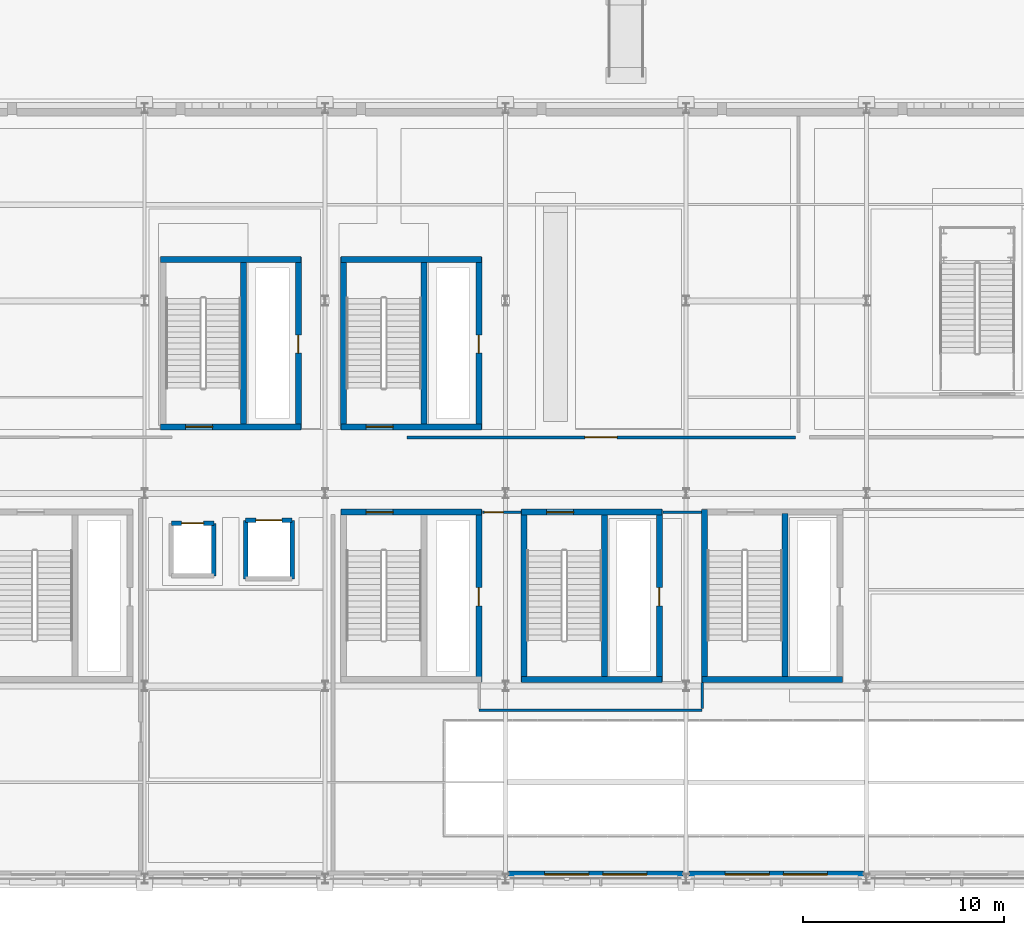
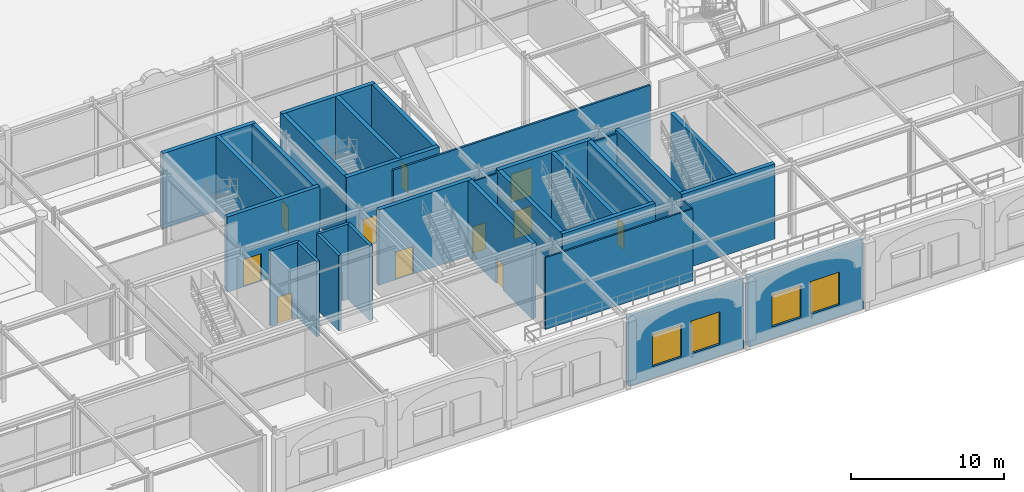
# One storey, part 65 of 113: 31 walls, 12 doors, 4 windows, 16 openings.
"""IFC4 building model written with IfcOpenShell, lengths in metres."""

import ifcopenshell
import ifcopenshell.guid

model = None  # the IFC model being written
_history = None  # IfcOwnerHistory: only IFC2X3 demands one
_inside = {}  # id of a spatial element -> (the spatial element, [elements in it])
_under = {}  # id of a project, library or spatial element -> (it, [spatial elements below it])
_declared = {}  # id of a project -> (the project, [libraries it declares])
_typed = {}  # id of a type object -> (the type object, [elements of that type])
_made_of = {}  # id of a material, layer set ... -> (it, [elements and type objects made of it])


def new_model(schema):
    """Start an empty IFC model of exactly this schema.

    Asked for "IFC4X3", IfcOpenShell would pick the latest addendum, in which some entities
    have other attributes; the version numbers below select the first issue.
    IFC2X3 requires an IfcOwnerHistory on every rooted entity: one is made here for all.
    """
    global model, _history
    if schema == "IFC4X3":
        model = ifcopenshell.file(schema_version=(4, 3, 0, 0))
    else:
        model = ifcopenshell.file(schema=schema)
    _inside.clear()
    _under.clear()
    _declared.clear()
    _typed.clear()
    _made_of.clear()
    _history = None
    if model.schema == "IFC2X3":
        org = make("IfcOrganization", Name="unknown")
        user = make(
            "IfcPersonAndOrganization",
            ThePerson=make("IfcPerson", FamilyName="unknown"),
            TheOrganization=org,
        )
        app = make(
            "IfcApplication",
            ApplicationDeveloper=org,
            Version="unknown",
            ApplicationFullName="unknown",
            ApplicationIdentifier="unknown",
        )
        _history = make(
            "IfcOwnerHistory",
            OwningUser=user,
            OwningApplication=app,
            ChangeAction="ADDED",
            CreationDate=0,
        )
    return model


def make(cls, **values):
    """One entity of the class cls with the attributes given. An attribute that is None is left unset."""
    return model.create_entity(
        cls, **{name: value for name, value in values.items() if value is not None}
    )


def rooted(cls, **values):
    """An entity with a GlobalId (a new one), such as an element, a storey or a relation."""
    return make(cls, GlobalId=ifcopenshell.guid.new(), OwnerHistory=_history, **values)


def si_unit(unit_type, name, prefix=None):
    """IfcSIUnit, for example si_unit("LENGTHUNIT", "METRE", prefix="MILLI")."""
    return make("IfcSIUnit", UnitType=unit_type, Prefix=prefix, Name=name)


def assignment(units):
    """IfcUnitAssignment: the units of a project."""
    return None if units is None else make("IfcUnitAssignment", Units=units)


def point(xyz):
    """IfcCartesianPoint."""
    return None if xyz is None else make("IfcCartesianPoint", Coordinates=xyz)


def direction(xyz):
    """IfcDirection."""
    return None if xyz is None else make("IfcDirection", DirectionRatios=xyz)


def frame(location, z_axis=None, x_axis=None):
    """IfcAxis2Placement3D, a coordinate frame: its origin and axes. An axis left out is left unset."""
    return make(
        "IfcAxis2Placement3D",
        Location=point(location),
        Axis=direction(z_axis),
        RefDirection=direction(x_axis),
    )


def frame_2d(location, x_axis=None):
    """IfcAxis2Placement2D, a coordinate frame in the plane: its origin and x axis."""
    return make(
        "IfcAxis2Placement2D", Location=point(location), RefDirection=direction(x_axis)
    )


def origin():
    """The frame at (0, 0, 0) with its axes left unset."""
    return frame((0.0, 0.0, 0.0))


def place(relative_to, where):
    """IfcLocalPlacement: puts the frame where relative to a parent placement (None: the world)."""
    return make(
        "IfcLocalPlacement", PlacementRelTo=relative_to, RelativePlacement=where
    )


def context(
    kind, dimensions, precision=None, world=None, true_north=None, identifier=None
):
    """IfcGeometricRepresentationContext, for example the 3D "Model" context."""
    return make(
        "IfcGeometricRepresentationContext",
        ContextIdentifier=identifier,
        ContextType=kind,
        CoordinateSpaceDimension=dimensions,
        Precision=precision,
        WorldCoordinateSystem=world,
        TrueNorth=true_north,
    )


def subcontext(parent, identifier, kind, view, scale=None):
    """IfcGeometricRepresentationSubContext, for example "Body" below "Model"."""
    return make(
        "IfcGeometricRepresentationSubContext",
        ContextIdentifier=identifier,
        ContextType=kind,
        ParentContext=parent,
        TargetScale=scale,
        TargetView=view,
    )


def project(units=None, contexts=None):
    """IfcProject with its units and contexts."""
    return rooted(
        "IfcProject",
        Name="project",
        RepresentationContexts=contexts,
        UnitsInContext=assignment(units),
    )


def spatial(cls, under=None, at=None, **own):
    """A site, building, storey or space (cls), placed at a placement, below another one or the project."""
    s = rooted(cls, ObjectPlacement=at, **own)
    if under is not None:
        _under.setdefault(under.id(), (under, []))[1].append(s)
    return s


def profile(cls, at=None, kind="AREA", **sizes):
    """A parametric profile (cls). Its sizes go by their IFC names, for example OverallWidth=200.0."""
    return make(cls, ProfileType=kind, Position=at, **sizes)


def rectangle(**sizes):
    """IfcRectangleProfileDef."""
    return profile("IfcRectangleProfileDef", **sizes)


def extrude(swept, where, along, depth):
    """IfcExtrudedAreaSolid: the profile swept, set in the frame where, extruded along a direction by depth."""
    return make(
        "IfcExtrudedAreaSolid",
        SweptArea=swept,
        Position=where,
        ExtrudedDirection=direction(along),
        Depth=depth,
    )


def shape(context_of_items, identifier, shape_type, items):
    """IfcShapeRepresentation: the items that make up one representation, for example the "Body"."""
    return make(
        "IfcShapeRepresentation",
        ContextOfItems=context_of_items,
        RepresentationIdentifier=identifier,
        RepresentationType=shape_type,
        Items=items,
    )


def material(Name=None, Category=None):
    """IfcMaterial."""
    return make("IfcMaterial", Name=Name, Category=Category)


def layer(
    of_material, thickness, ventilated=None, Name=None, Category=None, Priority=None
):
    """IfcMaterialLayer: one layer of a wall or slab, of a material (None: an air gap)."""
    return make(
        "IfcMaterialLayer",
        Material=of_material,
        LayerThickness=thickness,
        IsVentilated=ventilated,
        Name=Name,
        Category=Category,
        Priority=Priority,
    )


def layer_set(layers, Name=None):
    """IfcMaterialLayerSet."""
    return make("IfcMaterialLayerSet", MaterialLayers=layers, LayerSetName=Name)


def made_of(thing, what):
    """Note that an element or type object is made of a material, layer set ...; save() writes the relation."""
    if what is not None:
        _made_of.setdefault(what.id(), (what, []))[1].append(thing)
    return thing


def type_object(cls, material=None, **own):
    """A type object (cls), such as IfcWallType, which elements share."""
    return made_of(rooted(cls, **own), material)


def element(
    cls,
    number,
    at=None,
    inside=None,
    cuts=None,
    type_object=None,
    material=None,
    context=None,
    identifier="Body",
    shape_type=None,
    held_by="IfcProductDefinitionShape",
    body=None,
    shapes=None,
    **own,
):
    """One element of the class cls, such as IfcWall. Its Tag is "e" and its number.

    at: its placement. inside: the storey or other place that contains it. cuts: it is an
    opening in that element (IfcRelVoidsElement). A single representation is given by context,
    identifier, shape_type and body (its items); several are given by shapes. held_by: the class
    of the entity that holds the representations. save() writes the other relations.
    """
    e = rooted(cls, Tag="e%d" % number, ObjectPlacement=at, **own)
    if body is not None:
        shapes = [shape(context, identifier, shape_type, body)]
    if shapes is not None:
        e.Representation = make(held_by, Representations=shapes)
    if inside is not None:
        _inside.setdefault(inside.id(), (inside, []))[1].append(e)
    if cuts is not None:
        rooted(
            "IfcRelVoidsElement", RelatingBuildingElement=cuts, RelatedOpeningElement=e
        )
    if type_object is not None:
        _typed.setdefault(type_object.id(), (type_object, []))[1].append(e)
    return made_of(e, material)


def fill(opening, filler):
    """IfcRelFillsElement: the door or window that sits in an opening."""
    return rooted(
        "IfcRelFillsElement",
        RelatingOpeningElement=opening,
        RelatedBuildingElement=filler,
    )


def aggregate(whole, parts):
    """IfcRelAggregates: a whole, such as a stair, and the parts it consists of."""
    return rooted("IfcRelAggregates", RelatingObject=whole, RelatedObjects=parts)


def save(model, path):
    """Write the relations noted so far, then the file.

    IfcRelAggregates (storeys below a building ...), IfcRelContainedInSpatialStructure (elements
    in a storey), IfcRelDefinesByType, IfcRelAssociatesMaterial and IfcRelDeclares: one each for
    every whole, place, type object, material and project.
    """
    for whole, parts in _under.values():
        aggregate(whole, parts)
    for where, things in _inside.values():
        rooted(
            "IfcRelContainedInSpatialStructure",
            RelatedElements=things,
            RelatingStructure=where,
        )
    for kind, things in _typed.values():
        rooted("IfcRelDefinesByType", RelatedObjects=things, RelatingType=kind)
    for what, things in _made_of.values():
        rooted("IfcRelAssociatesMaterial", RelatedObjects=things, RelatingMaterial=what)
    for by, libraries in _declared.values():
        rooted("IfcRelDeclares", RelatingContext=by, RelatedDefinitions=libraries)
    model.write(path)


model = new_model("IFC4")

# Units and contexts
model_context = context("Model", 3, precision=1e-05, world=origin(), true_north=direction((0.0, 1.0)))
body_context = subcontext(model_context, "Body", "Model", "MODEL_VIEW")
ifc_project = project(units=[si_unit("LENGTHUNIT", "METRE"), si_unit("AREAUNIT", "SQUARE_METRE"), si_unit("VOLUMEUNIT", "CUBIC_METRE"), si_unit("PLANEANGLEUNIT", "RADIAN"), si_unit("MASSUNIT", "GRAM", prefix="KILO")], contexts=[model_context])

# Site, building, storey
site_placement = place(None, origin())
site = spatial("IfcSite", under=ifc_project, at=site_placement, CompositionType="ELEMENT")
building_placement = place(site_placement, origin())
building = spatial("IfcBuilding", under=site, at=building_placement, Name="Myrtia Square Station", CompositionType="ELEMENT")
storey_placement = place(building_placement, origin())
storey = spatial("IfcBuildingStorey", under=building, at=storey_placement, Name="L00", CompositionType="ELEMENT", Elevation=0.0)

# Wall, opening, door
ifc_material_1 = material(Name="Concrete C35/45", Category="concrete")
ifc_layer_1 = layer(ifc_material_1, 0.300048828125, Name="Concrete C35/45")
ifc_layer_set_1 = layer_set([ifc_layer_1], Name="Concrete C35/45")
wall_type_1 = type_object("IfcWallType", Name="WL-CORE-300", PredefinedType="SHEAR", material=ifc_layer_set_1)
wall_1_placement = place(storey_placement, frame((135.800048828125, 18.27490234375, 0.0), z_axis=(0.0, 0.0, 1.0), x_axis=(1.0, 0.0, 0.0)))
wall_1 = element("IfcWall", 1, at=wall_1_placement, inside=storey, type_object=wall_type_1, Name="Core K6 shear wall L00 N", PredefinedType="SHEAR", context=body_context, shape_type="SweptSolid", body=[
    extrude(rectangle(XDim=7.0, YDim=0.300048828125, at=frame_2d((3.5, 0.0))), origin(), (0.0, 0.0, 1.0), 6.0),
])
opening_1_placement = place(wall_1_placement, frame((1.25, 0.0, 0.0)))
opening_1 = element("IfcOpeningElement", 2, at=opening_1_placement, cuts=wall_1, Name="Opening SD-063", PredefinedType="OPENING", context=body_context, shape_type="SweptSolid", body=[
    extrude(rectangle(XDim=1.35009765625, YDim=2.199951171875, at=frame_2d((0.675048828125, 1.10009765625))), frame((0.0, 0.1650390625, 0.0), z_axis=(0.0, -1.0, 0.0), x_axis=(1.0, 0.0, 0.0)), (0.0, 0.0, 1.0), 0.330078125),
])
ifc_material_2 = material(Name="Dark bronze anodised aluminium", Category="aluminium")
door_type_1 = type_object("IfcDoorType", Name="DR-STAIR-1350x2200", OperationType="NOTDEFINED", PredefinedType="DOOR", material=ifc_material_2)
door_1_placement = place(opening_1_placement, origin())
door_1 = element("IfcDoor", 3, at=door_1_placement, inside=storey, type_object=door_type_1, Name="Protected stair fire door K6 L00", OperationType="SINGLE_SWING_LEFT", OverallHeight=2.199951171875, OverallWidth=1.35009765625, PredefinedType="DOOR", context=body_context, shape_type="SweptSolid", body=[
    extrude(rectangle(XDim=1.35009765625, YDim=2.199951171875, at=frame_2d((0.675048828125, 1.10009765625))), frame((0.0, 0.02490234375, 0.0), z_axis=(0.0, -1.0, 0.0), x_axis=(1.0, 0.0, 0.0)), (0.0, 0.0, 1.0), 0.050048828125),
])
fill(opening_1, door_1)

wall_2_placement = place(storey_placement, frame((142.675048828125, 9.800048828125, 0.0), z_axis=(0.0, 0.0, 1.0), x_axis=(0.0, 1.0, 0.0)))
wall_2 = element("IfcWall", 4, at=wall_2_placement, inside=storey, type_object=wall_type_1, Name="Core K6 shear wall L00 E", PredefinedType="SHEAR", context=body_context, shape_type="SweptSolid", body=[
    extrude(rectangle(XDim=8.599853515625, YDim=0.300048828125, at=frame_2d((4.2998046875, 0.0))), origin(), (0.0, 0.0, 1.0), 6.0),
])
opening_2_placement = place(wall_2_placement, frame((3.800048828125, 0.0, 0.0)))
opening_2 = element("IfcOpeningElement", 5, at=opening_2_placement, cuts=wall_2, Name="Opening RD-064", PredefinedType="OPENING", context=body_context, shape_type="SweptSolid", body=[
    extrude(rectangle(XDim=0.89990234375, YDim=2.050048828125, at=frame_2d((0.449951171875, 1.02490234375))), frame((0.0, 0.1650390625, 0.0), z_axis=(0.0, -1.0, 0.0), x_axis=(1.0, 0.0, 0.0)), (0.0, 0.0, 1.0), 0.330078125),
])
door_type_2 = type_object("IfcDoorType", Name="DR-RISER-900x2050", OperationType="NOTDEFINED", PredefinedType="DOOR", material=ifc_material_2)
door_2_placement = place(opening_2_placement, origin())
door_2 = element("IfcDoor", 6, at=door_2_placement, inside=storey, type_object=door_type_2, Name="Riser cupboard access door K6 L00", OperationType="SINGLE_SWING_RIGHT", OverallHeight=2.050048828125, OverallWidth=0.89990234375, PredefinedType="DOOR", context=body_context, shape_type="SweptSolid", body=[
    extrude(rectangle(XDim=0.89990234375, YDim=2.050048828125, at=frame_2d((0.449951171875, 1.02490234375))), frame((0.0, 0.02490234375, 0.0), z_axis=(0.0, -1.0, 0.0), x_axis=(1.0, 0.0, 0.0)), (0.0, 0.0, 1.0), 0.050048828125),
])
fill(opening_2, door_2)

wall_3_placement = place(storey_placement, frame((135.800048828125, 22.52490234375, 0.0), z_axis=(0.0, 0.0, 1.0), x_axis=(1.0, 0.0, 0.0)))
wall_3 = element("IfcWall", 7, at=wall_3_placement, inside=storey, type_object=wall_type_1, Name="Core K9 shear wall L00 S", PredefinedType="SHEAR", context=body_context, shape_type="SweptSolid", body=[
    extrude(rectangle(XDim=7.0, YDim=0.300048828125, at=frame_2d((3.5, 0.0))), origin(), (0.0, 0.0, 1.0), 6.0),
])
opening_3_placement = place(wall_3_placement, frame((1.25, 0.0, 0.0)))
opening_3 = element("IfcOpeningElement", 8, at=opening_3_placement, cuts=wall_3, Name="Opening SD-073", PredefinedType="OPENING", context=body_context, shape_type="SweptSolid", body=[
    extrude(rectangle(XDim=1.35009765625, YDim=2.199951171875, at=frame_2d((0.675048828125, 1.10009765625))), frame((0.0, 0.1650390625, 0.0), z_axis=(0.0, -1.0, 0.0), x_axis=(1.0, 0.0, 0.0)), (0.0, 0.0, 1.0), 0.330078125),
])
door_3_placement = place(opening_3_placement, frame((1.35009765625, 0.0, 0.0), z_axis=(0.0, 0.0, 1.0), x_axis=(-1.0, 0.0, 0.0)))
door_3 = element("IfcDoor", 9, at=door_3_placement, inside=storey, type_object=door_type_1, Name="Protected stair fire door K9 L00", OperationType="SINGLE_SWING_LEFT", OverallHeight=2.199951171875, OverallWidth=1.35009765625, PredefinedType="DOOR", context=body_context, shape_type="SweptSolid", body=[
    extrude(rectangle(XDim=1.35009765625, YDim=2.199951171875, at=frame_2d((0.675048828125, 1.10009765625))), frame((0.0, 0.02490234375, 0.0), z_axis=(0.0, -1.0, 0.0), x_axis=(1.0, 0.0, 0.0)), (0.0, 0.0, 1.0), 0.050048828125),
])
fill(opening_3, door_3)

# Walls
wall_4_placement = place(storey_placement, frame((135.800048828125, 30.875, 0.0), z_axis=(0.0, 0.0, 1.0), x_axis=(1.0, 0.0, 0.0)))
element("IfcWall", 10, at=wall_4_placement, inside=storey, type_object=wall_type_1, Name="Core K9 shear wall L00 N", PredefinedType="SHEAR", context=body_context, shape_type="SweptSolid", body=[
    extrude(rectangle(XDim=7.0, YDim=0.300048828125, at=frame_2d((3.5, 0.0))), origin(), (0.0, 0.0, 1.0), 6.0),
])
wall_5_placement = place(storey_placement, frame((135.925048828125, 22.39990234375, 0.0), z_axis=(0.0, 0.0, 1.0), x_axis=(0.0, 1.0, 0.0)))
element("IfcWall", 11, at=wall_5_placement, inside=storey, type_object=wall_type_1, Name="Core K9 shear wall L00 W", PredefinedType="SHEAR", context=body_context, shape_type="SweptSolid", body=[
    extrude(rectangle(XDim=8.60009765625, YDim=0.300048828125, at=frame_2d((4.300048828125, 0.0))), origin(), (0.0, 0.0, 1.0), 6.0),
])

# Wall, opening, door
wall_6_placement = place(storey_placement, frame((142.675048828125, 22.39990234375, 0.0), z_axis=(0.0, 0.0, 1.0), x_axis=(0.0, 1.0, 0.0)))
wall_6 = element("IfcWall", 12, at=wall_6_placement, inside=storey, type_object=wall_type_1, Name="Core K9 shear wall L00 E", PredefinedType="SHEAR", context=body_context, shape_type="SweptSolid", body=[
    extrude(rectangle(XDim=8.60009765625, YDim=0.300048828125, at=frame_2d((4.300048828125, 0.0))), origin(), (0.0, 0.0, 1.0), 6.0),
])
opening_4_placement = place(wall_6_placement, frame((3.800048828125, 0.0, 0.0)))
opening_4 = element("IfcOpeningElement", 13, at=opening_4_placement, cuts=wall_6, Name="Opening RD-074", PredefinedType="OPENING", context=body_context, shape_type="SweptSolid", body=[
    extrude(rectangle(XDim=0.89990234375, YDim=2.050048828125, at=frame_2d((0.449951171875, 1.02490234375))), frame((0.0, 0.1650390625, 0.0), z_axis=(0.0, -1.0, 0.0), x_axis=(1.0, 0.0, 0.0)), (0.0, 0.0, 1.0), 0.330078125),
])
door_4_placement = place(opening_4_placement, origin())
door_4 = element("IfcDoor", 14, at=door_4_placement, inside=storey, type_object=door_type_2, Name="Riser cupboard access door K9 L00", OperationType="SINGLE_SWING_RIGHT", OverallHeight=2.050048828125, OverallWidth=0.89990234375, PredefinedType="DOOR", context=body_context, shape_type="SweptSolid", body=[
    extrude(rectangle(XDim=0.89990234375, YDim=2.050048828125, at=frame_2d((0.449951171875, 1.02490234375))), frame((0.0, 0.02490234375, 0.0), z_axis=(0.0, -1.0, 0.0), x_axis=(1.0, 0.0, 0.0)), (0.0, 0.0, 1.0), 0.050048828125),
])
fill(opening_4, door_4)

# Wall
wall_7_placement = place(storey_placement, frame((139.93994140625, 22.60009765625, 0.0), z_axis=(0.0, 0.0, 1.0), x_axis=(0.0, 1.0, 0.0)))
element("IfcWall", 15, at=wall_7_placement, inside=storey, type_object=wall_type_1, Name="Core K9 shear wall L00 D", PredefinedType="SHEAR", context=body_context, shape_type="SweptSolid", body=[
    extrude(rectangle(XDim=8.199951171875, YDim=0.300048828125, at=frame_2d((4.10009765625, 0.0))), origin(), (0.0, 0.0, 1.0), 6.0),
])

# Wall, opening, door
wall_8_placement = place(storey_placement, frame((126.800048828125, 22.52490234375, 0.0), z_axis=(0.0, 0.0, 1.0), x_axis=(1.0, 0.0, 0.0)))
wall_8 = element("IfcWall", 16, at=wall_8_placement, inside=storey, type_object=wall_type_1, Name="Core K10 shear wall L00 S", PredefinedType="SHEAR", context=body_context, shape_type="SweptSolid", body=[
    extrude(rectangle(XDim=7.0, YDim=0.300048828125, at=frame_2d((3.5, 0.0))), origin(), (0.0, 0.0, 1.0), 6.0),
])
opening_5_placement = place(wall_8_placement, frame((1.25, 0.0, 0.0)))
opening_5 = element("IfcOpeningElement", 17, at=opening_5_placement, cuts=wall_8, Name="Opening SD-083", PredefinedType="OPENING", context=body_context, shape_type="SweptSolid", body=[
    extrude(rectangle(XDim=1.35009765625, YDim=2.199951171875, at=frame_2d((0.675048828125, 1.10009765625))), frame((0.0, 0.1650390625, 0.0), z_axis=(0.0, -1.0, 0.0), x_axis=(1.0, 0.0, 0.0)), (0.0, 0.0, 1.0), 0.330078125),
])
door_5_placement = place(opening_5_placement, frame((1.35009765625, 0.0, 0.0), z_axis=(0.0, 0.0, 1.0), x_axis=(-1.0, 0.0, 0.0)))
door_5 = element("IfcDoor", 18, at=door_5_placement, inside=storey, type_object=door_type_1, Name="Protected stair fire door K10 L00", OperationType="SINGLE_SWING_LEFT", OverallHeight=2.199951171875, OverallWidth=1.35009765625, PredefinedType="DOOR", context=body_context, shape_type="SweptSolid", body=[
    extrude(rectangle(XDim=1.35009765625, YDim=2.199951171875, at=frame_2d((0.675048828125, 1.10009765625))), frame((0.0, 0.02490234375, 0.0), z_axis=(0.0, -1.0, 0.0), x_axis=(1.0, 0.0, 0.0)), (0.0, 0.0, 1.0), 0.050048828125),
])
fill(opening_5, door_5)

# Wall
wall_9_placement = place(storey_placement, frame((126.800048828125, 30.875, 0.0), z_axis=(0.0, 0.0, 1.0), x_axis=(1.0, 0.0, 0.0)))
element("IfcWall", 19, at=wall_9_placement, inside=storey, type_object=wall_type_1, Name="Core K10 shear wall L00 N", PredefinedType="SHEAR", context=body_context, shape_type="SweptSolid", body=[
    extrude(rectangle(XDim=7.0, YDim=0.300048828125, at=frame_2d((3.5, 0.0))), origin(), (0.0, 0.0, 1.0), 6.0),
])

# Wall, opening, door
wall_10_placement = place(storey_placement, frame((133.675048828125, 22.39990234375, 0.0), z_axis=(0.0, 0.0, 1.0), x_axis=(0.0, 1.0, 0.0)))
wall_10 = element("IfcWall", 20, at=wall_10_placement, inside=storey, type_object=wall_type_1, Name="Core K10 shear wall L00 E", PredefinedType="SHEAR", context=body_context, shape_type="SweptSolid", body=[
    extrude(rectangle(XDim=8.60009765625, YDim=0.300048828125, at=frame_2d((4.300048828125, 0.0))), origin(), (0.0, 0.0, 1.0), 6.0),
])
opening_6_placement = place(wall_10_placement, frame((3.800048828125, 0.0, 0.0)))
opening_6 = element("IfcOpeningElement", 21, at=opening_6_placement, cuts=wall_10, Name="Opening RD-084", PredefinedType="OPENING", context=body_context, shape_type="SweptSolid", body=[
    extrude(rectangle(XDim=0.89990234375, YDim=2.050048828125, at=frame_2d((0.449951171875, 1.02490234375))), frame((0.0, 0.1650390625, 0.0), z_axis=(0.0, -1.0, 0.0), x_axis=(1.0, 0.0, 0.0)), (0.0, 0.0, 1.0), 0.330078125),
])
door_6_placement = place(opening_6_placement, origin())
door_6 = element("IfcDoor", 22, at=door_6_placement, inside=storey, type_object=door_type_2, Name="Riser cupboard access door K10 L00", OperationType="SINGLE_SWING_RIGHT", OverallHeight=2.050048828125, OverallWidth=0.89990234375, PredefinedType="DOOR", context=body_context, shape_type="SweptSolid", body=[
    extrude(rectangle(XDim=0.89990234375, YDim=2.050048828125, at=frame_2d((0.449951171875, 1.02490234375))), frame((0.0, 0.02490234375, 0.0), z_axis=(0.0, -1.0, 0.0), x_axis=(1.0, 0.0, 0.0)), (0.0, 0.0, 1.0), 0.050048828125),
])
fill(opening_6, door_6)

# Walls
wall_11_placement = place(storey_placement, frame((130.93994140625, 22.60009765625, 0.0), z_axis=(0.0, 0.0, 1.0), x_axis=(0.0, 1.0, 0.0)))
element("IfcWall", 23, at=wall_11_placement, inside=storey, type_object=wall_type_1, Name="Core K10 shear wall L00 D", PredefinedType="SHEAR", context=body_context, shape_type="SweptSolid", body=[
    extrude(rectangle(XDim=8.199951171875, YDim=0.300048828125, at=frame_2d((4.10009765625, 0.0))), origin(), (0.0, 0.0, 1.0), 6.0),
])
wall_12_placement = place(storey_placement, frame((144.800048828125, 9.925048828125, 0.0), z_axis=(0.0, 0.0, 1.0), x_axis=(1.0, 0.0, 0.0)))
element("IfcWall", 24, at=wall_12_placement, inside=storey, type_object=wall_type_1, Name="Core K11 shear wall L00 S", PredefinedType="SHEAR", context=body_context, shape_type="SweptSolid", body=[
    extrude(rectangle(XDim=7.0, YDim=0.300048828125, at=frame_2d((3.5, 0.0))), origin(), (0.0, 0.0, 1.0), 6.0),
])

# Wall, opening, door
wall_13_placement = place(storey_placement, frame((144.800048828125, 18.27490234375, 0.0), z_axis=(0.0, 0.0, 1.0), x_axis=(1.0, 0.0, 0.0)))
wall_13 = element("IfcWall", 25, at=wall_13_placement, inside=storey, type_object=wall_type_1, Name="Core K11 shear wall L00 N", PredefinedType="SHEAR", context=body_context, shape_type="SweptSolid", body=[
    extrude(rectangle(XDim=7.0, YDim=0.300048828125, at=frame_2d((3.5, 0.0))), origin(), (0.0, 0.0, 1.0), 6.0),
])
opening_7_placement = place(wall_13_placement, frame((1.25, 0.0, 0.0)))
opening_7 = element("IfcOpeningElement", 26, at=opening_7_placement, cuts=wall_13, Name="Opening SD-093", PredefinedType="OPENING", context=body_context, shape_type="SweptSolid", body=[
    extrude(rectangle(XDim=1.35009765625, YDim=2.199951171875, at=frame_2d((0.675048828125, 1.10009765625))), frame((0.0, 0.1650390625, 0.0), z_axis=(0.0, -1.0, 0.0), x_axis=(1.0, 0.0, 0.0)), (0.0, 0.0, 1.0), 0.330078125),
])
door_7_placement = place(opening_7_placement, origin())
door_7 = element("IfcDoor", 27, at=door_7_placement, inside=storey, type_object=door_type_1, Name="Protected stair fire door K11 L00", OperationType="SINGLE_SWING_LEFT", OverallHeight=2.199951171875, OverallWidth=1.35009765625, PredefinedType="DOOR", context=body_context, shape_type="SweptSolid", body=[
    extrude(rectangle(XDim=1.35009765625, YDim=2.199951171875, at=frame_2d((0.675048828125, 1.10009765625))), frame((0.0, 0.02490234375, 0.0), z_axis=(0.0, -1.0, 0.0), x_axis=(1.0, 0.0, 0.0)), (0.0, 0.0, 1.0), 0.050048828125),
])
fill(opening_7, door_7)

# Wall
wall_14_placement = place(storey_placement, frame((144.925048828125, 9.800048828125, 0.0), z_axis=(0.0, 0.0, 1.0), x_axis=(0.0, 1.0, 0.0)))
element("IfcWall", 28, at=wall_14_placement, inside=storey, type_object=wall_type_1, Name="Core K11 shear wall L00 W", PredefinedType="SHEAR", context=body_context, shape_type="SweptSolid", body=[
    extrude(rectangle(XDim=8.599853515625, YDim=0.300048828125, at=frame_2d((4.2998046875, 0.0))), origin(), (0.0, 0.0, 1.0), 6.0),
])

# Wall, opening, door
wall_15_placement = place(storey_placement, frame((151.675048828125, 9.800048828125, 0.0), z_axis=(0.0, 0.0, 1.0), x_axis=(0.0, 1.0, 0.0)))
wall_15 = element("IfcWall", 29, at=wall_15_placement, inside=storey, type_object=wall_type_1, Name="Core K11 shear wall L00 E", PredefinedType="SHEAR", context=body_context, shape_type="SweptSolid", body=[
    extrude(rectangle(XDim=8.599853515625, YDim=0.300048828125, at=frame_2d((4.2998046875, 0.0))), origin(), (0.0, 0.0, 1.0), 6.0),
])
opening_8_placement = place(wall_15_placement, frame((3.800048828125, 0.0, 0.0)))
opening_8 = element("IfcOpeningElement", 30, at=opening_8_placement, cuts=wall_15, Name="Opening RD-094", PredefinedType="OPENING", context=body_context, shape_type="SweptSolid", body=[
    extrude(rectangle(XDim=0.89990234375, YDim=2.050048828125, at=frame_2d((0.449951171875, 1.02490234375))), frame((0.0, 0.1650390625, 0.0), z_axis=(0.0, -1.0, 0.0), x_axis=(1.0, 0.0, 0.0)), (0.0, 0.0, 1.0), 0.330078125),
])
door_8_placement = place(opening_8_placement, origin())
door_8 = element("IfcDoor", 31, at=door_8_placement, inside=storey, type_object=door_type_2, Name="Riser cupboard access door K11 L00", OperationType="SINGLE_SWING_RIGHT", OverallHeight=2.050048828125, OverallWidth=0.89990234375, PredefinedType="DOOR", context=body_context, shape_type="SweptSolid", body=[
    extrude(rectangle(XDim=0.89990234375, YDim=2.050048828125, at=frame_2d((0.449951171875, 1.02490234375))), frame((0.0, 0.02490234375, 0.0), z_axis=(0.0, -1.0, 0.0), x_axis=(1.0, 0.0, 0.0)), (0.0, 0.0, 1.0), 0.050048828125),
])
fill(opening_8, door_8)

# Walls
wall_16_placement = place(storey_placement, frame((148.93994140625, 10.0, 0.0), z_axis=(0.0, 0.0, 1.0), x_axis=(0.0, 1.0, 0.0)))
element("IfcWall", 32, at=wall_16_placement, inside=storey, type_object=wall_type_1, Name="Core K11 shear wall L00 D", PredefinedType="SHEAR", context=body_context, shape_type="SweptSolid", body=[
    extrude(rectangle(XDim=8.199951171875, YDim=0.300048828125, at=frame_2d((4.10009765625, 0.0))), origin(), (0.0, 0.0, 1.0), 6.0),
])
wall_17_placement = place(storey_placement, frame((153.800048828125, 9.925048828125, 0.0), z_axis=(0.0, 0.0, 1.0), x_axis=(1.0, 0.0, 0.0)))
element("IfcWall", 33, at=wall_17_placement, inside=storey, type_object=wall_type_1, Name="Core K14 shear wall L00 S", PredefinedType="SHEAR", context=body_context, shape_type="SweptSolid", body=[
    extrude(rectangle(XDim=7.0, YDim=0.300048828125, at=frame_2d((3.5, 0.0))), origin(), (0.0, 0.0, 1.0), 6.0),
])
wall_18_placement = place(storey_placement, frame((153.925048828125, 9.800048828125, 0.0), z_axis=(0.0, 0.0, 1.0), x_axis=(0.0, 1.0, 0.0)))
element("IfcWall", 34, at=wall_18_placement, inside=storey, type_object=wall_type_1, Name="Core K14 shear wall L00 W", PredefinedType="SHEAR", context=body_context, shape_type="SweptSolid", body=[
    extrude(rectangle(XDim=8.599853515625, YDim=0.300048828125, at=frame_2d((4.2998046875, 0.0))), origin(), (0.0, 0.0, 1.0), 6.0),
])
wall_19_placement = place(storey_placement, frame((157.93994140625, 10.0, 0.0), z_axis=(0.0, 0.0, 1.0), x_axis=(0.0, 1.0, 0.0)))
element("IfcWall", 35, at=wall_19_placement, inside=storey, type_object=wall_type_1, Name="Core K14 shear wall L00 D", PredefinedType="SHEAR", context=body_context, shape_type="SweptSolid", body=[
    extrude(rectangle(XDim=8.199951171875, YDim=0.300048828125, at=frame_2d((4.10009765625, 0.0))), origin(), (0.0, 0.0, 1.0), 6.0),
])

# Wall, openings, windows
ifc_material_3 = material(Name="Cream lime stucco on clay brick masonry", Category="masonry")
ifc_layer_2 = layer(ifc_material_3, 0.360107421875, Name="Cream lime stucco on clay brick masonry")
ifc_layer_set_2 = layer_set([ifc_layer_2], Name="Cream lime stucco on clay brick masonry")
wall_type_2 = type_object("IfcWallType", Name="WL-EXT-STUCCO-360", PredefinedType="SOLIDWALL", material=ifc_layer_set_2)
wall_20_placement = place(storey_placement, frame((144.155029296875, 0.199951171875, 0.0), z_axis=(0.0, 0.0, 1.0), x_axis=(1.0, 0.0, 0.0)))
wall_20 = element("IfcWall", 36, at=wall_20_placement, inside=storey, type_object=wall_type_2, Name="Exterior envelope wall EW-L00-0043", PredefinedType="SOLIDWALL", context=body_context, shape_type="SweptSolid", body=[
    extrude(rectangle(XDim=8.68994140625, YDim=0.360107421875, at=frame_2d((4.344970703125, 0.0))), origin(), (0.0, 0.0, 1.0), 5.489990234375),
])
opening_9_placement = place(wall_20_placement, frame((1.797119140625, 0.0, 0.949951171875)))
opening_9 = element("IfcOpeningElement", 37, at=opening_9_placement, cuts=wall_20, Name="Opening WN-027", PredefinedType="OPENING", context=body_context, shape_type="SweptSolid", body=[
    extrude(rectangle(XDim=2.199951171875, YDim=2.60009765625, at=frame_2d((1.10009765625, 1.300048828125))), frame((0.0, 0.195068359375, 0.0), z_axis=(0.0, -1.0, 0.0), x_axis=(1.0, 0.0, 0.0)), (0.0, 0.0, 1.0), 0.39013671875),
])
opening_10_placement = place(wall_20_placement, frame((4.693115234375, 0.0, 0.949951171875)))
opening_10 = element("IfcOpeningElement", 38, at=opening_10_placement, cuts=wall_20, Name="Opening WN-028", PredefinedType="OPENING", context=body_context, shape_type="SweptSolid", body=[
    extrude(rectangle(XDim=2.199951171875, YDim=2.60009765625, at=frame_2d((1.10009765625, 1.300048828125))), frame((0.0, 0.195068359375, 0.0), z_axis=(0.0, -1.0, 0.0), x_axis=(1.0, 0.0, 0.0)), (0.0, 0.0, 1.0), 0.39013671875),
])
ifc_material_4 = material(Name="Tinted low-E solar control glass", Category="glass")
window_type = type_object("IfcWindowType", Name="WN-RET-2200x2600", PartitioningType="SINGLE_PANEL", PredefinedType="WINDOW", material=ifc_material_4)
window_1_placement = place(opening_9_placement, origin())
window_1 = element("IfcWindow", 39, at=window_1_placement, inside=storey, type_object=window_type, Name="Window WN-027", OverallHeight=2.60009765625, OverallWidth=2.199951171875, PartitioningType="SINGLE_PANEL", PredefinedType="WINDOW", context=body_context, shape_type="SweptSolid", body=[
    extrude(rectangle(XDim=2.199951171875, YDim=2.60009765625, at=frame_2d((1.10009765625, 1.300048828125))), frame((0.0, 0.030029296875, 0.0), z_axis=(0.0, -1.0, 0.0), x_axis=(1.0, 0.0, 0.0)), (0.0, 0.0, 1.0), 0.06005859375),
])
fill(opening_9, window_1)
window_2_placement = place(opening_10_placement, origin())
window_2 = element("IfcWindow", 40, at=window_2_placement, inside=storey, type_object=window_type, Name="Window WN-028", OverallHeight=2.60009765625, OverallWidth=2.199951171875, PartitioningType="SINGLE_PANEL", PredefinedType="WINDOW", context=body_context, shape_type="SweptSolid", body=[
    extrude(rectangle(XDim=2.199951171875, YDim=2.60009765625, at=frame_2d((1.10009765625, 1.300048828125))), frame((0.0, 0.030029296875, 0.0), z_axis=(0.0, -1.0, 0.0), x_axis=(1.0, 0.0, 0.0)), (0.0, 0.0, 1.0), 0.06005859375),
])
fill(opening_10, window_2)

wall_21_placement = place(storey_placement, frame((153.155029296875, 0.199951171875, 0.0), z_axis=(0.0, 0.0, 1.0), x_axis=(1.0, 0.0, 0.0)))
wall_21 = element("IfcWall", 41, at=wall_21_placement, inside=storey, type_object=wall_type_2, Name="Exterior envelope wall EW-L00-0044", PredefinedType="SOLIDWALL", context=body_context, shape_type="SweptSolid", body=[
    extrude(rectangle(XDim=8.68994140625, YDim=0.360107421875, at=frame_2d((4.344970703125, 0.0))), origin(), (0.0, 0.0, 1.0), 5.489990234375),
])
opening_11_placement = place(wall_21_placement, frame((1.797119140625, 0.0, 0.949951171875)))
opening_11 = element("IfcOpeningElement", 42, at=opening_11_placement, cuts=wall_21, Name="Opening WN-029", PredefinedType="OPENING", context=body_context, shape_type="SweptSolid", body=[
    extrude(rectangle(XDim=2.199951171875, YDim=2.60009765625, at=frame_2d((1.10009765625, 1.300048828125))), frame((0.0, 0.195068359375, 0.0), z_axis=(0.0, -1.0, 0.0), x_axis=(1.0, 0.0, 0.0)), (0.0, 0.0, 1.0), 0.39013671875),
])
opening_12_placement = place(wall_21_placement, frame((4.693115234375, 0.0, 0.949951171875)))
opening_12 = element("IfcOpeningElement", 43, at=opening_12_placement, cuts=wall_21, Name="Opening WN-030", PredefinedType="OPENING", context=body_context, shape_type="SweptSolid", body=[
    extrude(rectangle(XDim=2.199951171875, YDim=2.60009765625, at=frame_2d((1.10009765625, 1.300048828125))), frame((0.0, 0.195068359375, 0.0), z_axis=(0.0, -1.0, 0.0), x_axis=(1.0, 0.0, 0.0)), (0.0, 0.0, 1.0), 0.39013671875),
])
window_3_placement = place(opening_11_placement, origin())
window_3 = element("IfcWindow", 44, at=window_3_placement, inside=storey, type_object=window_type, Name="Window WN-029", OverallHeight=2.60009765625, OverallWidth=2.199951171875, PartitioningType="SINGLE_PANEL", PredefinedType="WINDOW", context=body_context, shape_type="SweptSolid", body=[
    extrude(rectangle(XDim=2.199951171875, YDim=2.60009765625, at=frame_2d((1.10009765625, 1.300048828125))), frame((0.0, 0.030029296875, 0.0), z_axis=(0.0, -1.0, 0.0), x_axis=(1.0, 0.0, 0.0)), (0.0, 0.0, 1.0), 0.06005859375),
])
fill(opening_11, window_3)
window_4_placement = place(opening_12_placement, origin())
window_4 = element("IfcWindow", 45, at=window_4_placement, inside=storey, type_object=window_type, Name="Window WN-030", OverallHeight=2.60009765625, OverallWidth=2.199951171875, PartitioningType="SINGLE_PANEL", PredefinedType="WINDOW", context=body_context, shape_type="SweptSolid", body=[
    extrude(rectangle(XDim=2.199951171875, YDim=2.60009765625, at=frame_2d((1.10009765625, 1.300048828125))), frame((0.0, 0.030029296875, 0.0), z_axis=(0.0, -1.0, 0.0), x_axis=(1.0, 0.0, 0.0)), (0.0, 0.0, 1.0), 0.06005859375),
])
fill(opening_12, window_4)

# Wall, opening, door
ifc_layer_3 = layer(ifc_material_1, 0.219970703125, Name="Concrete C35/45")
ifc_layer_set_3 = layer_set([ifc_layer_3], Name="Concrete C35/45")
wall_type_3 = type_object("IfcWallType", Name="WL-LIFT-220", PredefinedType="SHEAR", material=ifc_layer_set_3)
wall_22_placement = place(storey_placement, frame((127.340087890625, 17.7099609375, 0.0), z_axis=(0.0, 0.0, 1.0), x_axis=(1.0, 0.0, 0.0)))
wall_22 = element("IfcWall", 46, at=wall_22_placement, inside=storey, type_object=wall_type_3, Name="Lift shaft wall PL-07 L00 +Y", PredefinedType="SHEAR", context=body_context, shape_type="SweptSolid", body=[
    extrude(rectangle(XDim=2.119873046875, YDim=0.219970703125, at=frame_2d((1.06005859375, 0.0))), origin(), (0.0, 0.0, 1.0), 6.0),
])
opening_13_placement = place(wall_22_placement, frame((0.510009765625, 0.0, 0.0)))
opening_13 = element("IfcOpeningElement", 47, at=opening_13_placement, cuts=wall_22, Name="Opening LD-PL-07", PredefinedType="OPENING", context=body_context, shape_type="SweptSolid", body=[
    extrude(rectangle(XDim=1.10009765625, YDim=2.14990234375, at=frame_2d((0.550048828125, 1.074951171875))), frame((0.0, 0.125, 0.0), z_axis=(0.0, -1.0, 0.0), x_axis=(1.0, 0.0, 0.0)), (0.0, 0.0, 1.0), 0.25),
])
door_type_3 = type_object("IfcDoorType", Name="DR-LIFT-1100x2150", OperationType="NOTDEFINED", PredefinedType="DOOR", material=ifc_material_2)
door_9_placement = place(opening_13_placement, origin())
door_9 = element("IfcDoor", 48, at=door_9_placement, inside=storey, type_object=door_type_3, Name="Lift landing door PL-07 L00", OperationType="SLIDING_TO_RIGHT", OverallHeight=2.14990234375, OverallWidth=1.10009765625, PredefinedType="DOOR", context=body_context, shape_type="SweptSolid", body=[
    extrude(rectangle(XDim=1.10009765625, YDim=2.14990234375, at=frame_2d((0.550048828125, 1.074951171875))), frame((0.0, 0.02490234375, 0.0), z_axis=(0.0, -1.0, 0.0), x_axis=(1.0, 0.0, 0.0)), (0.0, 0.0, 1.0), 0.050048828125),
])
fill(opening_13, door_9)

# Wall
wall_23_placement = place(storey_placement, frame((129.4599609375, 15.090087890625, 0.0), z_axis=(0.0, 0.0, 1.0), x_axis=(0.0, 1.0, 0.0)))
element("IfcWall", 49, at=wall_23_placement, inside=storey, type_object=wall_type_3, Name="Lift shaft wall PL-07 L00 +X", PredefinedType="SHEAR", context=body_context, shape_type="SweptSolid", body=[
    extrude(rectangle(XDim=2.619873046875, YDim=0.219970703125, at=frame_2d((1.31005859375, 0.0))), origin(), (0.0, 0.0, 1.0), 6.0),
])

# Wall, opening, door
wall_24_placement = place(storey_placement, frame((131.0400390625, 17.860107421875, 0.0), z_axis=(0.0, 0.0, 1.0), x_axis=(1.0, 0.0, 0.0)))
wall_24 = element("IfcWall", 50, at=wall_24_placement, inside=storey, type_object=wall_type_3, Name="Lift shaft wall GL-02 L00 +Y", PredefinedType="SHEAR", context=body_context, shape_type="SweptSolid", body=[
    extrude(rectangle(XDim=2.320068359375, YDim=0.219970703125, at=frame_2d((1.16015625, 0.0))), origin(), (0.0, 0.0, 1.0), 6.0),
])
opening_14_placement = place(wall_24_placement, frame((0.510009765625, 0.0, 0.0)))
opening_14 = element("IfcOpeningElement", 51, at=opening_14_placement, cuts=wall_24, Name="Opening LD-GL-02", PredefinedType="OPENING", context=body_context, shape_type="SweptSolid", body=[
    extrude(rectangle(XDim=1.300048828125, YDim=2.25, at=frame_2d((0.64990234375, 1.125))), frame((0.0, 0.125, 0.0), z_axis=(0.0, -1.0, 0.0), x_axis=(1.0, 0.0, 0.0)), (0.0, 0.0, 1.0), 0.25),
])
door_type_4 = type_object("IfcDoorType", Name="DR-LIFT-1300x2250", OperationType="NOTDEFINED", PredefinedType="DOOR", material=ifc_material_2)
door_10_placement = place(opening_14_placement, origin())
door_10 = element("IfcDoor", 52, at=door_10_placement, inside=storey, type_object=door_type_4, Name="Lift landing door GL-02 L00", OperationType="SLIDING_TO_LEFT", OverallHeight=2.25, OverallWidth=1.300048828125, PredefinedType="DOOR", context=body_context, shape_type="SweptSolid", body=[
    extrude(rectangle(XDim=1.300048828125, YDim=2.25, at=frame_2d((0.64990234375, 1.125))), frame((0.0, 0.02490234375, 0.0), z_axis=(0.0, -1.0, 0.0), x_axis=(1.0, 0.0, 0.0)), (0.0, 0.0, 1.0), 0.050048828125),
])
fill(opening_14, door_10)

# Walls
for number, where, z_axis, x_axis, name in (
    (53, (131.0400390625, 14.93994140625, 0.0), (0.0, 0.0, 1.0), (0.0, 1.0, 0.0), "Lift shaft wall GL-02 L00 -X"),
    (54, (133.360107421875, 14.93994140625, 0.0), (0.0, 0.0, 1.0), (0.0, 1.0, 0.0), "Lift shaft wall GL-02 L00 +X"),
):
    element("IfcWall", number, at=place(storey_placement, frame(where, z_axis=z_axis, x_axis=x_axis)), inside=storey, type_object=wall_type_3, Name=name, PredefinedType="SHEAR", context=body_context, shape_type="SweptSolid", body=[
        extrude(rectangle(XDim=2.920166015625, YDim=0.219970703125, at=frame_2d((1.4599609375, 0.0))), origin(), (0.0, 0.0, 1.0), 6.0),
    ])
ifc_material_5 = material(Name="Gypsum plasterboard")
ifc_layer_4 = layer(ifc_material_5, 0.125, Name="Gypsum plasterboard")
ifc_layer_set_4 = layer_set([ifc_layer_4], Name="Gypsum plasterboard")
wall_type_4 = type_object("IfcWallType", Name="WL-PART-125", PredefinedType="PARTITIONING", material=ifc_layer_set_4)
wall_25_placement = place(storey_placement, frame((142.679931640625, 8.39990234375, 0.0), z_axis=(0.0, 0.0, 1.0), x_axis=(1.0, 0.0, 0.0)))
element("IfcWall", 55, at=wall_25_placement, inside=storey, type_object=wall_type_4, Name="Sanitary enclosure partition L00-14", PredefinedType="PARTITIONING", context=body_context, shape_type="SweptSolid", body=[
    extrude(rectangle(XDim=11.1201171875, YDim=0.125, at=frame_2d((5.56005859375, 0.0))), origin(), (0.0, 0.0, 1.0), 5.719970703125),
])
wall_26_placement = place(storey_placement, frame((153.800048828125, 8.469970703125, 0.0), z_axis=(0.0, 0.0, 1.0), x_axis=(0.0, 1.0, 0.0)))
element("IfcWall", 56, at=wall_26_placement, inside=storey, type_object=wall_type_4, Name="Sanitary enclosure partition L00-14", PredefinedType="PARTITIONING", context=body_context, shape_type="SweptSolid", body=[
    extrude(rectangle(XDim=1.300048828125, YDim=0.125, at=frame_2d((0.64990234375, 0.0))), origin(), (0.0, 0.0, 1.0), 5.719970703125),
])
wall_27_placement = place(storey_placement, frame((151.840087890625, 18.27001953125, 0.0), z_axis=(0.0, 0.0, 1.0), x_axis=(1.0, 0.0, 0.0)))
element("IfcWall", 57, at=wall_27_placement, inside=storey, type_object=wall_type_4, Name="Sanitary enclosure partition L00-14", PredefinedType="PARTITIONING", context=body_context, shape_type="SweptSolid", body=[
    extrude(rectangle(XDim=1.929931640625, YDim=0.125, at=frame_2d((0.96484375, 0.0))), origin(), (0.0, 0.0, 1.0), 5.719970703125),
])

# Wall, opening, door
wall_28_placement = place(storey_placement, frame((142.840087890625, 18.27001953125, 0.0), z_axis=(0.0, 0.0, 1.0), x_axis=(1.0, 0.0, 0.0)))
wall_28 = element("IfcWall", 58, at=wall_28_placement, inside=storey, type_object=wall_type_4, Name="Sanitary enclosure partition L00-14", PredefinedType="PARTITIONING", context=body_context, shape_type="SweptSolid", body=[
    extrude(rectangle(XDim=1.929931640625, YDim=0.125, at=frame_2d((0.96484375, 0.0))), origin(), (0.0, 0.0, 1.0), 5.719970703125),
])
opening_15_placement = place(wall_28_placement, frame((0.10009765625, 0.0, 0.0)))
opening_15 = element("IfcOpeningElement", 59, at=opening_15_placement, cuts=wall_28, Name="Opening D-287", PredefinedType="OPENING", context=body_context, shape_type="SweptSolid", body=[
    extrude(rectangle(XDim=0.949951171875, YDim=2.10009765625, at=frame_2d((0.47509765625, 1.050048828125))), frame((0.0, 0.077392578125, 0.0), z_axis=(0.0, -1.0, 0.0), x_axis=(1.0, 0.0, 0.0)), (0.0, 0.0, 1.0), 0.155029296875),
])
ifc_material_6 = material(Name="Acoustic European oak timber", Category="wood")
door_type_5 = type_object("IfcDoorType", Name="DR-WC-950x2100", OperationType="NOTDEFINED", PredefinedType="DOOR", material=ifc_material_6)
door_11_placement = place(opening_15_placement, origin())
door_11 = element("IfcDoor", 60, at=door_11_placement, inside=storey, type_object=door_type_5, Name="South Wing Public Sanitary and Accessible WC door D-287", OperationType="SINGLE_SWING_RIGHT", OverallHeight=2.10009765625, OverallWidth=0.949951171875, PredefinedType="DOOR", context=body_context, shape_type="SweptSolid", body=[
    extrude(rectangle(XDim=0.949951171875, YDim=2.10009765625, at=frame_2d((0.47509765625, 1.050048828125))), frame((0.0, 0.02490234375, 0.0), z_axis=(0.0, -1.0, 0.0), x_axis=(1.0, 0.0, 0.0)), (0.0, 0.0, 1.0), 0.050048828125),
])
fill(opening_15, door_11)

ifc_layer_5 = layer(ifc_material_5, 0.14990234375, Name="Gypsum plasterboard")
ifc_layer_set_5 = layer_set([ifc_layer_5], Name="Gypsum plasterboard")
wall_type_5 = type_object("IfcWallType", Name="WL-PART-150", PredefinedType="PARTITIONING", material=ifc_layer_set_5)
wall_29_placement = place(storey_placement, frame((139.074951171875, 22.0, 0.0), z_axis=(0.0, 0.0, 1.0), x_axis=(1.0, 0.0, 0.0)))
wall_29 = element("IfcWall", 61, at=wall_29_placement, inside=storey, type_object=wall_type_5, Name="Interior partition wall L00-10", PredefinedType="PARTITIONING", context=body_context, shape_type="SweptSolid", body=[
    extrude(rectangle(XDim=19.375, YDim=0.14990234375, at=frame_2d((9.6875, 0.0))), origin(), (0.0, 0.0, 1.0), 5.719970703125),
])
opening_16_placement = place(wall_29_placement, frame((8.886962890625, 0.0, 0.0)))
opening_16 = element("IfcOpeningElement", 62, at=opening_16_placement, cuts=wall_29, Name="Opening D-221", PredefinedType="OPENING", context=body_context, shape_type="SweptSolid", body=[
    extrude(rectangle(XDim=1.60009765625, YDim=2.25, at=frame_2d((0.800048828125, 1.125))), frame((0.0, 0.08984375, 0.0), z_axis=(0.0, -1.0, 0.0), x_axis=(1.0, 0.0, 0.0)), (0.0, 0.0, 1.0), 0.179931640625),
])
door_type_6 = type_object("IfcDoorType", Name="DR-CORR-1600x2250", OperationType="NOTDEFINED", PredefinedType="DOOR", material=ifc_material_2)
door_12_placement = place(opening_16_placement, frame((1.60009765625, 0.0, 0.0), z_axis=(0.0, 0.0, 1.0), x_axis=(-1.0, 0.0, 0.0)))
door_12 = element("IfcDoor", 63, at=door_12_placement, inside=storey, type_object=door_type_6, Name="Mediterranean Delicatessen Retail Shop door D-221", OperationType="DOUBLE_DOOR_SINGLE_SWING", OverallHeight=2.25, OverallWidth=1.60009765625, PredefinedType="DOOR", context=body_context, shape_type="SweptSolid", body=[
    extrude(rectangle(XDim=1.60009765625, YDim=2.25, at=frame_2d((0.800048828125, 1.125))), frame((0.0, 0.02490234375, 0.0), z_axis=(0.0, -1.0, 0.0), x_axis=(1.0, 0.0, 0.0)), (0.0, 0.0, 1.0), 0.050048828125),
])
fill(opening_16, door_12)

save(model, "model.ifc")
